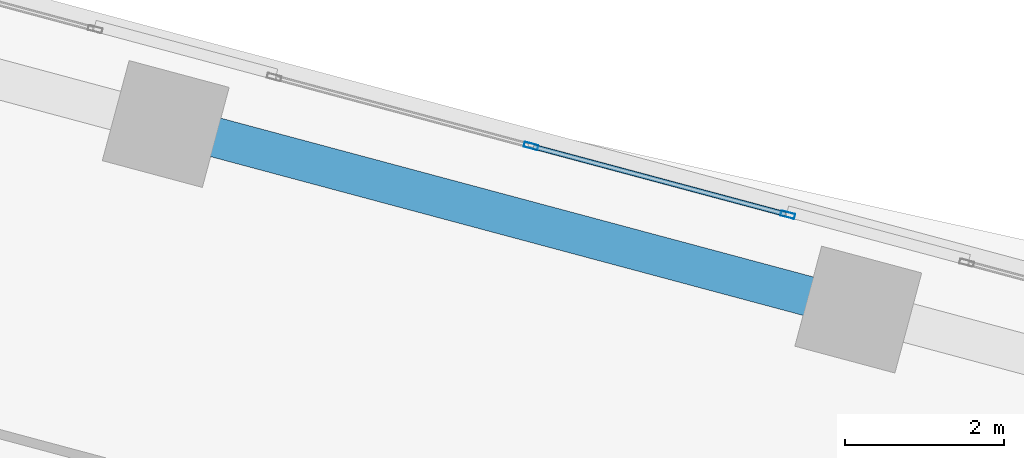
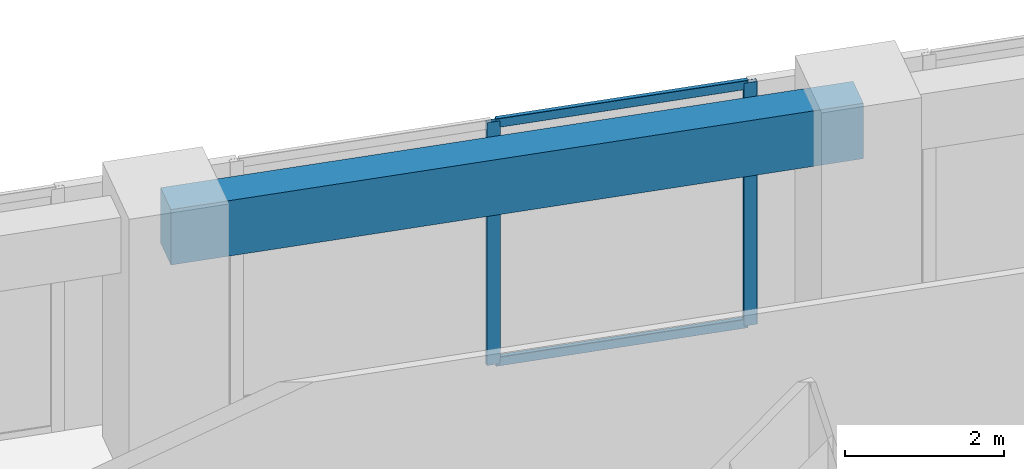
# One storey, part 14 of 26: 4 members, 1 beam, 1 element without a shape of its own.
"""IFC4 building model written with IfcOpenShell, lengths in metres."""

import ifcopenshell
import ifcopenshell.guid

model = None  # the IFC model being written
_history = None  # IfcOwnerHistory: only IFC2X3 demands one
_inside = {}  # id of a spatial element -> (the spatial element, [elements in it])
_under = {}  # id of a project, library or spatial element -> (it, [spatial elements below it])
_declared = {}  # id of a project -> (the project, [libraries it declares])
_typed = {}  # id of a type object -> (the type object, [elements of that type])
_made_of = {}  # id of a material, layer set ... -> (it, [elements and type objects made of it])


def new_model(schema):
    """Start an empty IFC model of exactly this schema.

    Asked for "IFC4X3", IfcOpenShell would pick the latest addendum, in which some entities
    have other attributes; the version numbers below select the first issue.
    IFC2X3 requires an IfcOwnerHistory on every rooted entity: one is made here for all.
    """
    global model, _history
    if schema == "IFC4X3":
        model = ifcopenshell.file(schema_version=(4, 3, 0, 0))
    else:
        model = ifcopenshell.file(schema=schema)
    _inside.clear()
    _under.clear()
    _declared.clear()
    _typed.clear()
    _made_of.clear()
    _history = None
    if model.schema == "IFC2X3":
        org = make("IfcOrganization", Name="unknown")
        user = make(
            "IfcPersonAndOrganization",
            ThePerson=make("IfcPerson", FamilyName="unknown"),
            TheOrganization=org,
        )
        app = make(
            "IfcApplication",
            ApplicationDeveloper=org,
            Version="unknown",
            ApplicationFullName="unknown",
            ApplicationIdentifier="unknown",
        )
        _history = make(
            "IfcOwnerHistory",
            OwningUser=user,
            OwningApplication=app,
            ChangeAction="ADDED",
            CreationDate=0,
        )
    return model


def make(cls, **values):
    """One entity of the class cls with the attributes given. An attribute that is None is left unset."""
    return model.create_entity(
        cls, **{name: value for name, value in values.items() if value is not None}
    )


def rooted(cls, **values):
    """An entity with a GlobalId (a new one), such as an element, a storey or a relation."""
    return make(cls, GlobalId=ifcopenshell.guid.new(), OwnerHistory=_history, **values)


def si_unit(unit_type, name, prefix=None):
    """IfcSIUnit, for example si_unit("LENGTHUNIT", "METRE", prefix="MILLI")."""
    return make("IfcSIUnit", UnitType=unit_type, Prefix=prefix, Name=name)


def assignment(units):
    """IfcUnitAssignment: the units of a project."""
    return None if units is None else make("IfcUnitAssignment", Units=units)


def point(xyz):
    """IfcCartesianPoint."""
    return None if xyz is None else make("IfcCartesianPoint", Coordinates=xyz)


def direction(xyz):
    """IfcDirection."""
    return None if xyz is None else make("IfcDirection", DirectionRatios=xyz)


def frame(location, z_axis=None, x_axis=None):
    """IfcAxis2Placement3D, a coordinate frame: its origin and axes. An axis left out is left unset."""
    return make(
        "IfcAxis2Placement3D",
        Location=point(location),
        Axis=direction(z_axis),
        RefDirection=direction(x_axis),
    )


def frame_2d(location, x_axis=None):
    """IfcAxis2Placement2D, a coordinate frame in the plane: its origin and x axis."""
    return make(
        "IfcAxis2Placement2D", Location=point(location), RefDirection=direction(x_axis)
    )


def origin():
    """The frame at (0, 0, 0) with its axes left unset."""
    return frame((0.0, 0.0, 0.0))


def origin_2d():
    """The frame at (0, 0) in the plane with its x axis left unset."""
    return frame_2d((0.0, 0.0))


def place(relative_to, where):
    """IfcLocalPlacement: puts the frame where relative to a parent placement (None: the world)."""
    return make(
        "IfcLocalPlacement", PlacementRelTo=relative_to, RelativePlacement=where
    )


def context(
    kind, dimensions, precision=None, world=None, true_north=None, identifier=None
):
    """IfcGeometricRepresentationContext, for example the 3D "Model" context."""
    return make(
        "IfcGeometricRepresentationContext",
        ContextIdentifier=identifier,
        ContextType=kind,
        CoordinateSpaceDimension=dimensions,
        Precision=precision,
        WorldCoordinateSystem=world,
        TrueNorth=true_north,
    )


def subcontext(parent, identifier, kind, view, scale=None):
    """IfcGeometricRepresentationSubContext, for example "Body" below "Model"."""
    return make(
        "IfcGeometricRepresentationSubContext",
        ContextIdentifier=identifier,
        ContextType=kind,
        ParentContext=parent,
        TargetScale=scale,
        TargetView=view,
    )


def project(units=None, contexts=None):
    """IfcProject with its units and contexts."""
    return rooted(
        "IfcProject",
        Name="project",
        RepresentationContexts=contexts,
        UnitsInContext=assignment(units),
    )


def spatial(cls, under=None, at=None, **own):
    """A site, building, storey or space (cls), placed at a placement, below another one or the project."""
    s = rooted(cls, ObjectPlacement=at, **own)
    if under is not None:
        _under.setdefault(under.id(), (under, []))[1].append(s)
    return s


def profile(cls, at=None, kind="AREA", **sizes):
    """A parametric profile (cls). Its sizes go by their IFC names, for example OverallWidth=200.0."""
    return make(cls, ProfileType=kind, Position=at, **sizes)


def rectangle(**sizes):
    """IfcRectangleProfileDef."""
    return profile("IfcRectangleProfileDef", **sizes)


def hollow_rectangle(**sizes):
    """IfcRectangleHollowProfileDef."""
    return profile("IfcRectangleHollowProfileDef", **sizes)


def extrude(swept, where, along, depth):
    """IfcExtrudedAreaSolid: the profile swept, set in the frame where, extruded along a direction by depth."""
    return make(
        "IfcExtrudedAreaSolid",
        SweptArea=swept,
        Position=where,
        ExtrudedDirection=direction(along),
        Depth=depth,
    )


def shape(context_of_items, identifier, shape_type, items):
    """IfcShapeRepresentation: the items that make up one representation, for example the "Body"."""
    return make(
        "IfcShapeRepresentation",
        ContextOfItems=context_of_items,
        RepresentationIdentifier=identifier,
        RepresentationType=shape_type,
        Items=items,
    )


def source(mapping_origin, context_of_items, identifier, shape_type, items):
    """IfcRepresentationMap: a shape defined once, which mapped items show again and again."""
    return make(
        "IfcRepresentationMap",
        MappingOrigin=mapping_origin,
        MappedRepresentation=shape(context_of_items, identifier, shape_type, items),
    )


def transform(
    local_origin,
    x_axis=None,
    y_axis=None,
    z_axis=None,
    scale=None,
    scale2=None,
    scale3=None,
    uniform=True,
):
    """IfcCartesianTransformationOperator3D, or its non-uniform kind. x_axis, y_axis, z_axis: its Axis1, 2, 3."""
    if uniform:
        return make(
            "IfcCartesianTransformationOperator3D",
            Axis1=direction(x_axis),
            Axis2=direction(y_axis),
            LocalOrigin=point(local_origin),
            Scale=scale,
            Axis3=direction(z_axis),
        )
    return make(
        "IfcCartesianTransformationOperator3DnonUniform",
        Axis1=direction(x_axis),
        Axis2=direction(y_axis),
        LocalOrigin=point(local_origin),
        Scale=scale,
        Axis3=direction(z_axis),
        Scale2=scale2,
        Scale3=scale3,
    )


def mapped(mapping_source, mapping_target):
    """IfcMappedItem: shows the shape of a source again, moved by a transform."""
    return make(
        "IfcMappedItem", MappingSource=mapping_source, MappingTarget=mapping_target
    )


def material(Name=None, Category=None):
    """IfcMaterial."""
    return make("IfcMaterial", Name=Name, Category=Category)


def material_profile(
    of_material, cross_section, Name=None, Category=None, Priority=None
):
    """IfcMaterialProfile: a cross section and its material."""
    return make(
        "IfcMaterialProfile",
        Name=Name,
        Material=of_material,
        Profile=cross_section,
        Priority=Priority,
        Category=Category,
    )


def profile_set(profiles, Name=None, composite=None):
    """IfcMaterialProfileSet."""
    return make(
        "IfcMaterialProfileSet",
        Name=Name,
        MaterialProfiles=profiles,
        CompositeProfile=composite,
    )


def made_of(thing, what):
    """Note that an element or type object is made of a material, layer set ...; save() writes the relation."""
    if what is not None:
        _made_of.setdefault(what.id(), (what, []))[1].append(thing)
    return thing


def type_object(cls, material=None, **own):
    """A type object (cls), such as IfcWallType, which elements share."""
    return made_of(rooted(cls, **own), material)


def element(
    cls,
    number,
    at=None,
    inside=None,
    cuts=None,
    type_object=None,
    material=None,
    context=None,
    identifier="Body",
    shape_type=None,
    held_by="IfcProductDefinitionShape",
    body=None,
    shapes=None,
    **own,
):
    """One element of the class cls, such as IfcWall. Its Tag is "e" and its number.

    at: its placement. inside: the storey or other place that contains it. cuts: it is an
    opening in that element (IfcRelVoidsElement). A single representation is given by context,
    identifier, shape_type and body (its items); several are given by shapes. held_by: the class
    of the entity that holds the representations. save() writes the other relations.
    """
    e = rooted(cls, Tag="e%d" % number, ObjectPlacement=at, **own)
    if body is not None:
        shapes = [shape(context, identifier, shape_type, body)]
    if shapes is not None:
        e.Representation = make(held_by, Representations=shapes)
    if inside is not None:
        _inside.setdefault(inside.id(), (inside, []))[1].append(e)
    if cuts is not None:
        rooted(
            "IfcRelVoidsElement", RelatingBuildingElement=cuts, RelatedOpeningElement=e
        )
    if type_object is not None:
        _typed.setdefault(type_object.id(), (type_object, []))[1].append(e)
    return made_of(e, material)


def aggregate(whole, parts):
    """IfcRelAggregates: a whole, such as a stair, and the parts it consists of."""
    return rooted("IfcRelAggregates", RelatingObject=whole, RelatedObjects=parts)


def save(model, path):
    """Write the relations noted so far, then the file.

    IfcRelAggregates (storeys below a building ...), IfcRelContainedInSpatialStructure (elements
    in a storey), IfcRelDefinesByType, IfcRelAssociatesMaterial and IfcRelDeclares: one each for
    every whole, place, type object, material and project.
    """
    for whole, parts in _under.values():
        aggregate(whole, parts)
    for where, things in _inside.values():
        rooted(
            "IfcRelContainedInSpatialStructure",
            RelatedElements=things,
            RelatingStructure=where,
        )
    for kind, things in _typed.values():
        rooted("IfcRelDefinesByType", RelatedObjects=things, RelatingType=kind)
    for what, things in _made_of.values():
        rooted("IfcRelAssociatesMaterial", RelatedObjects=things, RelatingMaterial=what)
    for by, libraries in _declared.values():
        rooted("IfcRelDeclares", RelatingContext=by, RelatedDefinitions=libraries)
    model.write(path)


model = new_model("IFC4")

# Units and contexts
model_context = context("Model", 3, precision=1e-05, world=origin(), true_north=direction((0.0, 1.0)))
body_context = subcontext(model_context, "Body", "Model", "MODEL_VIEW")
ifc_project = project(units=[si_unit("LENGTHUNIT", "METRE"), si_unit("AREAUNIT", "SQUARE_METRE"), si_unit("VOLUMEUNIT", "CUBIC_METRE"), si_unit("PLANEANGLEUNIT", "RADIAN"), si_unit("MASSUNIT", "GRAM", prefix="KILO")], contexts=[model_context])

# Site, building, storey
site_placement = place(None, origin())
site = spatial("IfcSite", under=ifc_project, at=site_placement, CompositionType="ELEMENT")
building_placement = place(site_placement, origin())
building = spatial("IfcBuilding", under=site, at=building_placement, Name="Torre Montelarca", CompositionType="ELEMENT")
storey_placement = place(building_placement, frame((0.0, 0.0, 100.0)))
storey = spatial("IfcBuildingStorey", under=building, at=storey_placement, Name="L22", CompositionType="ELEMENT", Elevation=100.0)

# Beam
ifc_material_1 = material(Name="Concrete C55/67", Category="concrete")
ifc_material_profile_1 = material_profile(ifc_material_1, rectangle(XDim=0.5, YDim=0.85009765625, at=origin_2d()), Name="RCB500X850", Category="concrete")
ifc_profile_set_1 = profile_set([ifc_material_profile_1], Name="Concrete C55/67")
beam_type = type_object("IfcBeamType", Name="BM-SP-RC850-EXT", PredefinedType="SPANDREL", material=ifc_profile_set_1)
shared_shape_1 = source(origin(), body_context, "Body", "SweptSolid", [
    extrude(rectangle(XDim=0.5, YDim=0.85009765625, at=origin_2d()), origin(), (0.0, 0.0, 1.0), 9.0),
])
beam_placement = place(storey_placement, frame((22.040283203125, 47.53955078125, 3.534912109375), z_axis=(0.965926740751, -0.25881563226, 0.0), x_axis=(0.25881563226, 0.965926740751, 0.0)))
element("IfcBeam", 1, at=beam_placement, inside=storey, type_object=beam_type, Name="L22 Grid Girder X 18.0-27.0 at Y=47.1", PredefinedType="SPANDREL", context=body_context, shape_type="MappedRepresentation", body=[
    mapped(shared_shape_1, transform((0.0, 0.0, 0.0), scale=1.0)),
])

# Curtain wall, members
ifc_material_2 = material(Name="Insulated low-E laminated glass", Category="glass")
curtain_wall_type = type_object("IfcCurtainWallType", Name="CW-SYS-Z1", PredefinedType="USERDEFINED", material=ifc_material_2)
curtain_wall_placement = place(storey_placement, origin())
curtain_wall = element("IfcCurtainWall", 2, at=curtain_wall_placement, inside=storey, type_object=curtain_wall_type, Name="L22 Curtain Wall Run CW-T3-L22-E08-B3", ObjectType="UNITISED GLAZING", PredefinedType="USERDEFINED")
ifc_material_3 = material(Name="Anodised aluminium AA 6063-T6", Category="aluminium")
ifc_material_profile_2 = material_profile(ifc_material_3, hollow_rectangle(XDim=0.06494140625, YDim=0.139892578125, WallThickness=0.00390625, InnerFilletRadius=0.00390625, OuterFilletRadius=0.008056640625, at=origin_2d()), Name="ALU65X140X4", Category="aluminium")
ifc_profile_set_2 = profile_set([ifc_material_profile_2], Name="Anodised aluminium AA 6063-T6")
member_type_1 = type_object("IfcMemberType", Name="CWT-ALU140", PredefinedType="USERDEFINED", material=ifc_profile_set_2)
shared_shape_2 = source(origin(), body_context, "Body", "SweptSolid", [
    extrude(hollow_rectangle(XDim=0.06494140625, YDim=0.139892578125, WallThickness=0.00390625, InnerFilletRadius=0.00390625, OuterFilletRadius=0.008056640625, at=origin_2d()), origin(), (0.0, 0.0, 1.0), 3.272705078125),
])
member_1_placement = place(storey_placement, frame((29.817626953125, 46.408203125, 0.032470703125), z_axis=(-0.965933400552, 0.258790775913, 0.0), x_axis=(-0.258790775913, -0.965933400552, 0.0)))
member_1 = element("IfcMember", 3, at=member_1_placement, type_object=member_type_1, Name="CW transom 1.1", ObjectType="TRANSOM", PredefinedType="USERDEFINED", context=body_context, shape_type="MappedRepresentation", body=[
    mapped(shared_shape_2, transform((0.0, 0.0, 0.0), scale=1.0)),
])
member_2_placement = place(storey_placement, frame((29.817626953125, 46.408203125, 3.6875), z_axis=(-0.965933400552, 0.258790775913, 0.0), x_axis=(-0.258790775913, -0.965933400552, 0.0)))
member_2 = element("IfcMember", 4, at=member_2_placement, type_object=member_type_1, Name="CW transom 1.2", ObjectType="TRANSOM", PredefinedType="USERDEFINED", context=body_context, shape_type="MappedRepresentation", body=[
    mapped(shared_shape_2, transform((0.0, 0.0, 0.0), scale=1.0)),
])
ifc_material_profile_3 = material_profile(ifc_material_3, hollow_rectangle(XDim=0.06494140625, YDim=0.179931640625, WallThickness=0.00390625, InnerFilletRadius=0.00390625, OuterFilletRadius=0.008056640625, at=origin_2d()), Name="ALU65X180X4", Category="aluminium")
ifc_profile_set_3 = profile_set([ifc_material_profile_3], Name="Anodised aluminium AA 6063-T6")
member_type_2 = type_object("IfcMemberType", Name="CWM-ALU180", PredefinedType="MULLION", material=ifc_profile_set_3)
shared_shape_3 = source(origin(), body_context, "Body", "SweptSolid", [
    extrude(hollow_rectangle(XDim=0.06494140625, YDim=0.179931640625, WallThickness=0.00390625, InnerFilletRadius=0.00390625, OuterFilletRadius=0.008056640625, at=origin_2d()), origin(), (0.0, 0.0, 1.0), 3.719970703125),
])
member_3_placement = place(storey_placement, frame((29.848876953125, 46.39990234375, 0.0), z_axis=(0.0, 0.0, 1.0), x_axis=(-0.258828786739, -0.965923215973, 0.0)))
member_3 = element("IfcMember", 5, at=member_3_placement, type_object=member_type_2, Name="CW mullion 1", PredefinedType="MULLION", context=body_context, shape_type="MappedRepresentation", body=[
    mapped(shared_shape_3, transform((0.0, 0.0, 0.0), scale=1.0)),
])
member_4_placement = place(storey_placement, frame((26.625244140625, 47.263671875, 0.0), z_axis=(0.0, 0.0, 1.0), x_axis=(-0.258828786739, -0.965923215973, 0.0)))
member_4 = element("IfcMember", 6, at=member_4_placement, type_object=member_type_2, Name="CW mullion 2", PredefinedType="MULLION", context=body_context, shape_type="MappedRepresentation", body=[
    mapped(shared_shape_3, transform((0.0, 0.0, 0.0), scale=1.0)),
])
aggregate(curtain_wall, [member_3, member_4, member_1, member_2])

save(model, "model.ifc")
